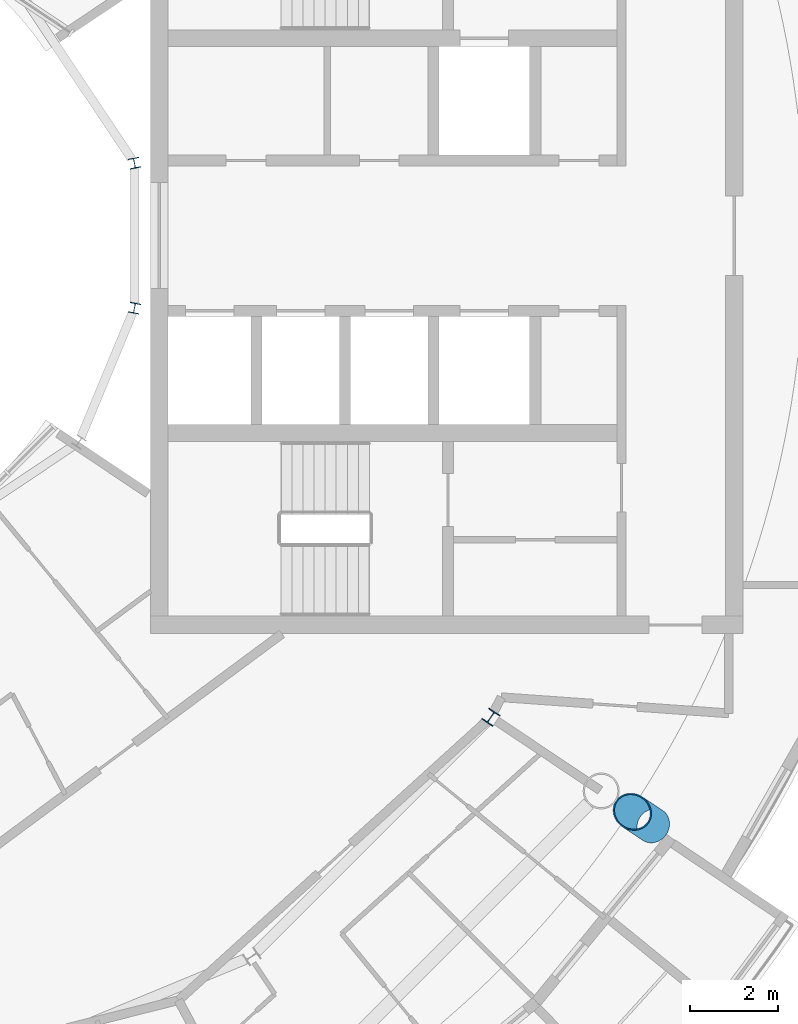
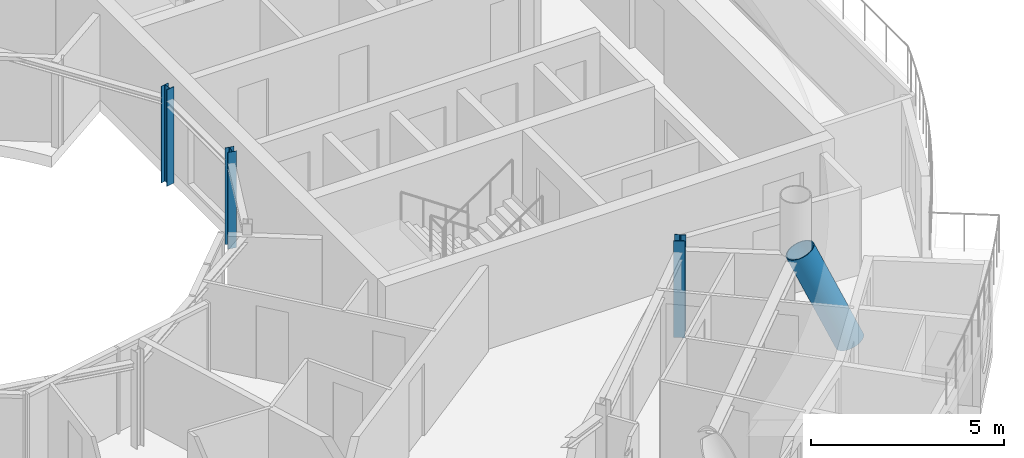
# One storey, part 3 of 25: 4 columns.
"""IFC4 building model written with IfcOpenShell, lengths in metres."""

from ifc_helpers import new_model, si_unit, direction, frame, origin, origin_2d, place, context, subcontext, project, spatial, hollow_circle, i_section, extrude, material, material_profile, profile_set, type_object, element, save


model = new_model("IFC4")

# Units and contexts
model_context = context("Model", 3, precision=1e-05, world=origin(), true_north=direction((0.0, 1.0)))
body_context = subcontext(model_context, "Body", "Model", "MODEL_VIEW")
ifc_project = project(units=[si_unit("LENGTHUNIT", "METRE"), si_unit("AREAUNIT", "SQUARE_METRE"), si_unit("VOLUMEUNIT", "CUBIC_METRE"), si_unit("PLANEANGLEUNIT", "RADIAN"), si_unit("MASSUNIT", "GRAM", prefix="KILO")], contexts=[model_context])

# Site, building, storey
site_placement = place(None, origin())
site = spatial("IfcSite", under=ifc_project, at=site_placement, CompositionType="ELEMENT")
building_placement = place(site_placement, origin())
building = spatial("IfcBuilding", under=site, at=building_placement, Name="Maasbend Ring Residences", CompositionType="ELEMENT")
storey_placement = place(building_placement, frame((0.0, 0.0, 246.25)))
storey = spatial("IfcBuildingStorey", under=building, at=storey_placement, Name="L71", CompositionType="ELEMENT", Elevation=246.25)

# Columns
ifc_material_1 = material(Name="Composite concrete-filled steel tube S460NH / C80/95", Category="concrete")
ifc_material_profile_1 = material_profile(ifc_material_1, hollow_circle(Radius=0.406494140625, WallThickness=0.030029296875, at=origin_2d()), Name="Composite tube column CHS 813x30")
ifc_profile_set_1 = profile_set([ifc_material_profile_1], Name="Composite concrete-filled steel tube S460NH / C80/95")
column_type_1 = type_object("IfcColumnType", Name="Composite tube column CHS 813x30", PredefinedType="COLUMN", material=ifc_profile_set_1)
column_1_placement = place(storey_placement, frame((19.955322265625, -13.333740234375, 0.0), z_axis=(-0.346819263352, 0.231767499499, 0.908845545043), x_axis=(-0.555620411262, -0.831436082083, 0.0)))
element("IfcColumn", 1, at=column_1_placement, inside=storey, type_object=column_type_1, Name="Outer column R15", PredefinedType="COLUMN", context=body_context, shape_type="SweptSolid", body=[
    extrude(hollow_circle(Radius=0.406494140625, WallThickness=0.030029296875, at=origin_2d()), origin(), (0.0, 0.0, 1.0), 3.0810546875),
])
ifc_material_2 = material(Name="Steel S355J2", Category="steel")
ifc_material_profile_2 = material_profile(ifc_material_2, i_section(OverallWidth=0.239990234375, OverallDepth=0.22998046875, WebThickness=0.007568359375, FlangeThickness=0.011962890625, FilletRadius=0.02099609375, at=origin_2d()), Name="HEA 240")
ifc_profile_set_2 = profile_set([ifc_material_profile_2], Name="Steel S355J2")
column_type_2 = type_object("IfcColumnType", Name="Steel column HEA 240", PredefinedType="COLUMN", material=ifc_profile_set_2)
for number, where, z_axis, x_axis, name in (
    (2, (8.238525390625, 1.638916015625, 0.0), (0.0, 0.0, 1.0), (0.980785280403, 0.195090322016, 0.0), "Well ring column R1"),
    (3, (8.238525390625, -1.638916015625, 0.0), (0.0, 0.0, 1.0), (0.980785280403, -0.195090322016, 0.0), "Well ring column R16"),
):
    element("IfcColumn", number, at=place(storey_placement, frame(where, z_axis=z_axis, x_axis=x_axis)), inside=storey, type_object=column_type_2, Name=name, PredefinedType="COLUMN", context=body_context, shape_type="SweptSolid", body=[
        extrude(i_section(OverallWidth=0.239990234375, OverallDepth=0.22998046875, WebThickness=0.007568359375, FlangeThickness=0.011962890625, FilletRadius=0.02099609375, at=origin_2d()), origin(), (0.0, 0.0, 1.0), 3.050048828125),
    ])
ifc_material_3 = material(Name="Steel S355J2", Category="steel")
ifc_material_profile_3 = material_profile(ifc_material_3, i_section(OverallWidth=0.300048828125, OverallDepth=0.300048828125, WebThickness=0.010986328125, FlangeThickness=0.01904296875, FilletRadius=0.027099609375, at=origin_2d()), Name="HEB 300")
ifc_profile_set_3 = profile_set([ifc_material_profile_3], Name="Steel S355J2")
column_type_3 = type_object("IfcColumnType", Name="Steel column HEB 300", PredefinedType="COLUMN", material=ifc_profile_set_3)
column_2_placement = place(storey_placement, frame((16.296875, -10.88916015625, 0.0), z_axis=(0.0, 0.0, 1.0), x_axis=(0.831469612303, -0.55557023302, 0.0)))
element("IfcColumn", 4, at=column_2_placement, inside=storey, type_object=column_type_3, Name="Corridor ring column R15", PredefinedType="COLUMN", context=body_context, shape_type="SweptSolid", body=[
    extrude(i_section(OverallWidth=0.300048828125, OverallDepth=0.300048828125, WebThickness=0.010986328125, FlangeThickness=0.01904296875, FilletRadius=0.027099609375, at=origin_2d()), origin(), (0.0, 0.0, 1.0), 3.050048828125),
])

save(model, "model.ifc")
